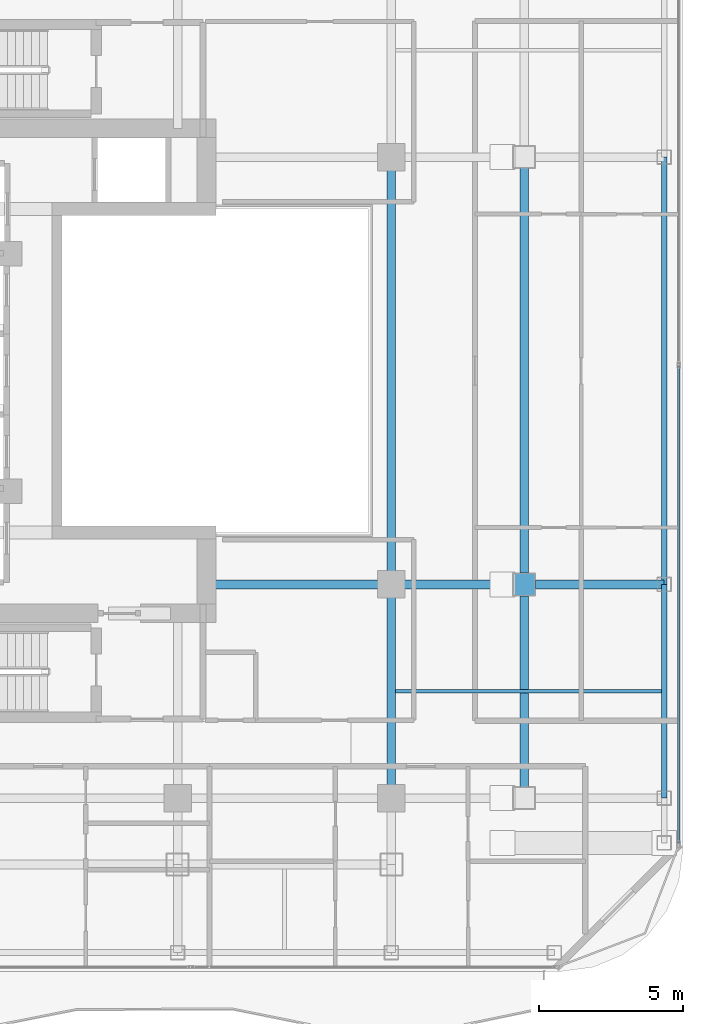
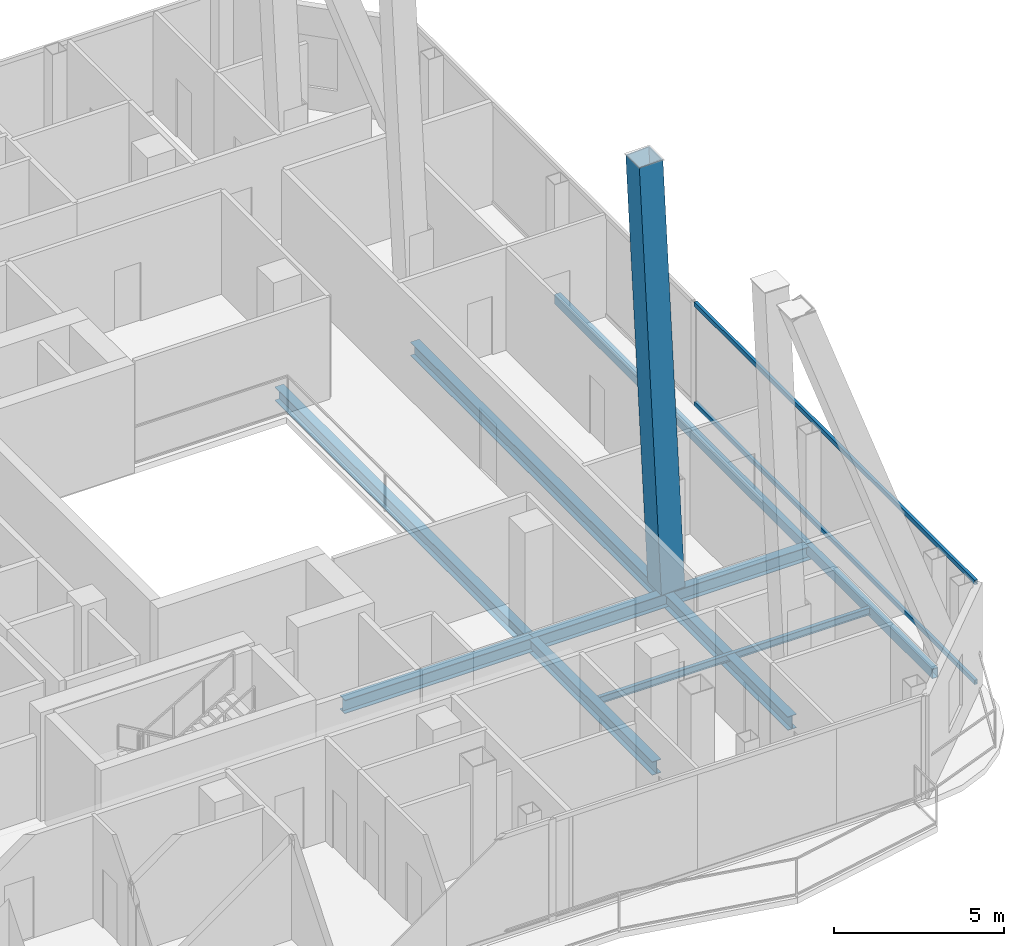
# One storey, part 8 of 27: 10 beams, 3 members, 1 element without a shape of its own.
"""IFC4 building model written with IfcOpenShell, lengths in metres."""

import ifcopenshell
import ifcopenshell.guid

model = None  # the IFC model being written
_history = None  # IfcOwnerHistory: only IFC2X3 demands one
_inside = {}  # id of a spatial element -> (the spatial element, [elements in it])
_under = {}  # id of a project, library or spatial element -> (it, [spatial elements below it])
_declared = {}  # id of a project -> (the project, [libraries it declares])
_typed = {}  # id of a type object -> (the type object, [elements of that type])
_made_of = {}  # id of a material, layer set ... -> (it, [elements and type objects made of it])


def new_model(schema):
    """Start an empty IFC model of exactly this schema.

    Asked for "IFC4X3", IfcOpenShell would pick the latest addendum, in which some entities
    have other attributes; the version numbers below select the first issue.
    IFC2X3 requires an IfcOwnerHistory on every rooted entity: one is made here for all.
    """
    global model, _history
    if schema == "IFC4X3":
        model = ifcopenshell.file(schema_version=(4, 3, 0, 0))
    else:
        model = ifcopenshell.file(schema=schema)
    _inside.clear()
    _under.clear()
    _declared.clear()
    _typed.clear()
    _made_of.clear()
    _history = None
    if model.schema == "IFC2X3":
        org = make("IfcOrganization", Name="unknown")
        user = make(
            "IfcPersonAndOrganization",
            ThePerson=make("IfcPerson", FamilyName="unknown"),
            TheOrganization=org,
        )
        app = make(
            "IfcApplication",
            ApplicationDeveloper=org,
            Version="unknown",
            ApplicationFullName="unknown",
            ApplicationIdentifier="unknown",
        )
        _history = make(
            "IfcOwnerHistory",
            OwningUser=user,
            OwningApplication=app,
            ChangeAction="ADDED",
            CreationDate=0,
        )
    return model


def make(cls, **values):
    """One entity of the class cls with the attributes given. An attribute that is None is left unset."""
    return model.create_entity(
        cls, **{name: value for name, value in values.items() if value is not None}
    )


def rooted(cls, **values):
    """An entity with a GlobalId (a new one), such as an element, a storey or a relation."""
    return make(cls, GlobalId=ifcopenshell.guid.new(), OwnerHistory=_history, **values)


def si_unit(unit_type, name, prefix=None):
    """IfcSIUnit, for example si_unit("LENGTHUNIT", "METRE", prefix="MILLI")."""
    return make("IfcSIUnit", UnitType=unit_type, Prefix=prefix, Name=name)


def assignment(units):
    """IfcUnitAssignment: the units of a project."""
    return None if units is None else make("IfcUnitAssignment", Units=units)


def point(xyz):
    """IfcCartesianPoint."""
    return None if xyz is None else make("IfcCartesianPoint", Coordinates=xyz)


def direction(xyz):
    """IfcDirection."""
    return None if xyz is None else make("IfcDirection", DirectionRatios=xyz)


def frame(location, z_axis=None, x_axis=None):
    """IfcAxis2Placement3D, a coordinate frame: its origin and axes. An axis left out is left unset."""
    return make(
        "IfcAxis2Placement3D",
        Location=point(location),
        Axis=direction(z_axis),
        RefDirection=direction(x_axis),
    )


def frame_2d(location, x_axis=None):
    """IfcAxis2Placement2D, a coordinate frame in the plane: its origin and x axis."""
    return make(
        "IfcAxis2Placement2D", Location=point(location), RefDirection=direction(x_axis)
    )


def origin():
    """The frame at (0, 0, 0) with its axes left unset."""
    return frame((0.0, 0.0, 0.0))


def origin_2d():
    """The frame at (0, 0) in the plane with its x axis left unset."""
    return frame_2d((0.0, 0.0))


def place(relative_to, where):
    """IfcLocalPlacement: puts the frame where relative to a parent placement (None: the world)."""
    return make(
        "IfcLocalPlacement", PlacementRelTo=relative_to, RelativePlacement=where
    )


def context(
    kind, dimensions, precision=None, world=None, true_north=None, identifier=None
):
    """IfcGeometricRepresentationContext, for example the 3D "Model" context."""
    return make(
        "IfcGeometricRepresentationContext",
        ContextIdentifier=identifier,
        ContextType=kind,
        CoordinateSpaceDimension=dimensions,
        Precision=precision,
        WorldCoordinateSystem=world,
        TrueNorth=true_north,
    )


def subcontext(parent, identifier, kind, view, scale=None):
    """IfcGeometricRepresentationSubContext, for example "Body" below "Model"."""
    return make(
        "IfcGeometricRepresentationSubContext",
        ContextIdentifier=identifier,
        ContextType=kind,
        ParentContext=parent,
        TargetScale=scale,
        TargetView=view,
    )


def project(units=None, contexts=None):
    """IfcProject with its units and contexts."""
    return rooted(
        "IfcProject",
        Name="project",
        RepresentationContexts=contexts,
        UnitsInContext=assignment(units),
    )


def spatial(cls, under=None, at=None, **own):
    """A site, building, storey or space (cls), placed at a placement, below another one or the project."""
    s = rooted(cls, ObjectPlacement=at, **own)
    if under is not None:
        _under.setdefault(under.id(), (under, []))[1].append(s)
    return s


def profile(cls, at=None, kind="AREA", **sizes):
    """A parametric profile (cls). Its sizes go by their IFC names, for example OverallWidth=200.0."""
    return make(cls, ProfileType=kind, Position=at, **sizes)


def hollow_rectangle(**sizes):
    """IfcRectangleHollowProfileDef."""
    return profile("IfcRectangleHollowProfileDef", **sizes)


def i_section(**sizes):
    """IfcIShapeProfileDef."""
    return profile("IfcIShapeProfileDef", **sizes)


def extrude(swept, where, along, depth):
    """IfcExtrudedAreaSolid: the profile swept, set in the frame where, extruded along a direction by depth."""
    return make(
        "IfcExtrudedAreaSolid",
        SweptArea=swept,
        Position=where,
        ExtrudedDirection=direction(along),
        Depth=depth,
    )


def shape(context_of_items, identifier, shape_type, items):
    """IfcShapeRepresentation: the items that make up one representation, for example the "Body"."""
    return make(
        "IfcShapeRepresentation",
        ContextOfItems=context_of_items,
        RepresentationIdentifier=identifier,
        RepresentationType=shape_type,
        Items=items,
    )


def material(Name=None, Category=None):
    """IfcMaterial."""
    return make("IfcMaterial", Name=Name, Category=Category)


def layer(
    of_material, thickness, ventilated=None, Name=None, Category=None, Priority=None
):
    """IfcMaterialLayer: one layer of a wall or slab, of a material (None: an air gap)."""
    return make(
        "IfcMaterialLayer",
        Material=of_material,
        LayerThickness=thickness,
        IsVentilated=ventilated,
        Name=Name,
        Category=Category,
        Priority=Priority,
    )


def layer_set(layers, Name=None):
    """IfcMaterialLayerSet."""
    return make("IfcMaterialLayerSet", MaterialLayers=layers, LayerSetName=Name)


def material_profile(
    of_material, cross_section, Name=None, Category=None, Priority=None
):
    """IfcMaterialProfile: a cross section and its material."""
    return make(
        "IfcMaterialProfile",
        Name=Name,
        Material=of_material,
        Profile=cross_section,
        Priority=Priority,
        Category=Category,
    )


def profile_set(profiles, Name=None, composite=None):
    """IfcMaterialProfileSet."""
    return make(
        "IfcMaterialProfileSet",
        Name=Name,
        MaterialProfiles=profiles,
        CompositeProfile=composite,
    )


def made_of(thing, what):
    """Note that an element or type object is made of a material, layer set ...; save() writes the relation."""
    if what is not None:
        _made_of.setdefault(what.id(), (what, []))[1].append(thing)
    return thing


def type_object(cls, material=None, **own):
    """A type object (cls), such as IfcWallType, which elements share."""
    return made_of(rooted(cls, **own), material)


def element(
    cls,
    number,
    at=None,
    inside=None,
    cuts=None,
    type_object=None,
    material=None,
    context=None,
    identifier="Body",
    shape_type=None,
    held_by="IfcProductDefinitionShape",
    body=None,
    shapes=None,
    **own,
):
    """One element of the class cls, such as IfcWall. Its Tag is "e" and its number.

    at: its placement. inside: the storey or other place that contains it. cuts: it is an
    opening in that element (IfcRelVoidsElement). A single representation is given by context,
    identifier, shape_type and body (its items); several are given by shapes. held_by: the class
    of the entity that holds the representations. save() writes the other relations.
    """
    e = rooted(cls, Tag="e%d" % number, ObjectPlacement=at, **own)
    if body is not None:
        shapes = [shape(context, identifier, shape_type, body)]
    if shapes is not None:
        e.Representation = make(held_by, Representations=shapes)
    if inside is not None:
        _inside.setdefault(inside.id(), (inside, []))[1].append(e)
    if cuts is not None:
        rooted(
            "IfcRelVoidsElement", RelatingBuildingElement=cuts, RelatedOpeningElement=e
        )
    if type_object is not None:
        _typed.setdefault(type_object.id(), (type_object, []))[1].append(e)
    return made_of(e, material)


def aggregate(whole, parts):
    """IfcRelAggregates: a whole, such as a stair, and the parts it consists of."""
    return rooted("IfcRelAggregates", RelatingObject=whole, RelatedObjects=parts)


def save(model, path):
    """Write the relations noted so far, then the file.

    IfcRelAggregates (storeys below a building ...), IfcRelContainedInSpatialStructure (elements
    in a storey), IfcRelDefinesByType, IfcRelAssociatesMaterial and IfcRelDeclares: one each for
    every whole, place, type object, material and project.
    """
    for whole, parts in _under.values():
        aggregate(whole, parts)
    for where, things in _inside.values():
        rooted(
            "IfcRelContainedInSpatialStructure",
            RelatedElements=things,
            RelatingStructure=where,
        )
    for kind, things in _typed.values():
        rooted("IfcRelDefinesByType", RelatedObjects=things, RelatingType=kind)
    for what, things in _made_of.values():
        rooted("IfcRelAssociatesMaterial", RelatedObjects=things, RelatingMaterial=what)
    for by, libraries in _declared.values():
        rooted("IfcRelDeclares", RelatingContext=by, RelatedDefinitions=libraries)
    model.write(path)


model = new_model("IFC4")

# Units and contexts
model_context = context("Model", 3, precision=1e-05, world=origin(), true_north=direction((0.0, 1.0)))
body_context = subcontext(model_context, "Body", "Model", "MODEL_VIEW")
ifc_project = project(units=[si_unit("LENGTHUNIT", "METRE"), si_unit("AREAUNIT", "SQUARE_METRE"), si_unit("VOLUMEUNIT", "CUBIC_METRE"), si_unit("PLANEANGLEUNIT", "RADIAN"), si_unit("MASSUNIT", "GRAM", prefix="KILO")], contexts=[model_context])

# Site, building, storey
site_placement = place(None, origin())
site = spatial("IfcSite", under=ifc_project, at=site_placement, CompositionType="ELEMENT")
building_placement = place(site_placement, origin())
building = spatial("IfcBuilding", under=site, at=building_placement, Name="Khorvyn Point Tower", CompositionType="ELEMENT")
storey_placement = place(building_placement, frame((0.0, 0.0, 270.300048828125)))
storey = spatial("IfcBuildingStorey", under=building, at=storey_placement, Name="L66", CompositionType="ELEMENT", Elevation=270.300048828125)

# Curtain wall, members
ifc_material_1 = material(Name="Anodised aluminium 6063-T6 and laminated Low-E glass", Category="aluminium")
ifc_layer = layer(ifc_material_1, 0.18994140625)
ifc_layer_set = layer_set([ifc_layer], Name="Stick-Built High-Wind Curtain Wall CW-SYS-04")
curtain_wall_type = type_object("IfcCurtainWallType", Name="Stick-Built High-Wind Curtain Wall CW-SYS-04", PredefinedType="NOTDEFINED", material=ifc_layer_set)
curtain_wall_placement = place(storey_placement, origin())
curtain_wall = element("IfcCurtainWall", 1, at=curtain_wall_placement, inside=storey, type_object=curtain_wall_type, Name="Curtain Wall", PredefinedType="NOTDEFINED")
ifc_material_2 = material(Name="Anodised aluminium 6063-T6", Category="aluminium")
ifc_material_profile_1 = material_profile(ifc_material_2, hollow_rectangle(XDim=0.10009765625, YDim=0.159912109375, WallThickness=0.00439453125, at=origin_2d()))
ifc_profile_set_1 = profile_set([ifc_material_profile_1], Name="Anodised aluminium 6063-T6 ALU-TRN-100x160")
member_type_1 = type_object("IfcMemberType", Name="Anodised Aluminium 6063-T6 Transom ALU-TRN-100x160", PredefinedType="USERDEFINED", material=ifc_profile_set_1)
member_1_placement = place(storey_placement, frame((24.75, 0.14990234375, 0.050048828125), z_axis=(0.0, -1.0, 0.0), x_axis=(1.0, 0.0, 0.0)))
member_1 = element("IfcMember", 2, at=member_1_placement, type_object=member_type_1, Name="Transom", ObjectType="TRANSOM", PredefinedType="USERDEFINED", context=body_context, shape_type="SweptSolid", body=[
    extrude(hollow_rectangle(XDim=0.10009765625, YDim=0.159912109375, WallThickness=0.00439453125, at=origin_2d()), origin(), (0.0, 0.0, 1.0), 16.5),
])
member_2_placement = place(storey_placement, frame((24.75, 0.14990234375, 3.6298828125), z_axis=(0.0, -1.0, 0.0), x_axis=(1.0, 0.0, 0.0)))
member_2 = element("IfcMember", 3, at=member_2_placement, type_object=member_type_1, Name="Transom", ObjectType="TRANSOM", PredefinedType="USERDEFINED", context=body_context, shape_type="SweptSolid", body=[
    extrude(hollow_rectangle(XDim=0.10009765625, YDim=0.159912109375, WallThickness=0.00439453125, at=origin_2d()), origin(), (0.0, 0.0, 1.0), 16.5),
])
aggregate(curtain_wall, [member_1, member_2])

# Beams
ifc_material_3 = material(Name="Steel S355", Category="steel")
ifc_material_profile_2 = material_profile(ifc_material_3, i_section(OverallWidth=0.125, OverallDepth=0.25, WebThickness=0.006103515625, FlangeThickness=0.009033203125, at=origin_2d()))
ifc_profile_set_2 = profile_set([ifc_material_profile_2], Name="Steel S355 H250x125x6x9")
beam_type_1 = type_object("IfcBeamType", Name="Steel S355 Joist H250x125x6x9", PredefinedType="JOIST", material=ifc_profile_set_2)
beam_1_placement = place(storey_placement, frame((14.949951171875, -11.10009765625, -0.344970703125), z_axis=(1.0, 0.0, 0.0), x_axis=(0.0, 1.0, 0.0)))
element("IfcBeam", 4, at=beam_1_placement, inside=storey, type_object=beam_type_1, Name="Beam", PredefinedType="JOIST", context=body_context, shape_type="SweptSolid", body=[
    extrude(i_section(OverallWidth=0.125, OverallDepth=0.25, WebThickness=0.006103515625, FlangeThickness=0.009033203125, at=origin_2d()), origin(), (0.0, 0.0, 1.0), 9.199951171875),
])
ifc_material_profile_3 = material_profile(ifc_material_3, i_section(OverallWidth=0.300048828125, OverallDepth=0.488037109375, WebThickness=0.010986328125, FlangeThickness=0.01806640625, at=origin_2d()))
ifc_profile_set_3 = profile_set([ifc_material_profile_3], Name="Steel S355 H488x300x11x18")
beam_type_2 = type_object("IfcBeamType", Name="Steel S355 Spandrel H488x300x11x18", PredefinedType="SPANDREL", material=ifc_profile_set_3)
beam_2_placement = place(storey_placement, frame((8.39990234375, -7.39990234375, -0.464111328125), z_axis=(1.0, 0.0, 0.0), x_axis=(0.0, 1.0, 0.0)))
element("IfcBeam", 5, at=beam_2_placement, inside=storey, type_object=beam_type_2, Name="Beam", PredefinedType="SPANDREL", context=body_context, shape_type="SweptSolid", body=[
    extrude(i_section(OverallWidth=0.300048828125, OverallDepth=0.488037109375, WebThickness=0.010986328125, FlangeThickness=0.01806640625, at=origin_2d()), origin(), (0.0, 0.0, 1.0), 6.400146484375),
])
beam_3_placement = place(storey_placement, frame((14.800048828125, -7.39990234375, -0.464111328125), z_axis=(1.0, 0.0, 0.0), x_axis=(0.0, 1.0, 0.0)))
element("IfcBeam", 6, at=beam_3_placement, inside=storey, type_object=beam_type_2, Name="Beam", PredefinedType="SPANDREL", context=body_context, shape_type="SweptSolid", body=[
    extrude(i_section(OverallWidth=0.300048828125, OverallDepth=0.488037109375, WebThickness=0.010986328125, FlangeThickness=0.01806640625, at=origin_2d()), origin(), (0.0, 0.0, 1.0), 4.599853515625),
])
beam_4_placement = place(storey_placement, frame((19.39990234375, -7.39990234375, -0.464111328125), z_axis=(1.0, 0.0, 0.0), x_axis=(0.0, 1.0, 0.0)))
element("IfcBeam", 7, at=beam_4_placement, inside=storey, type_object=beam_type_2, Name="Beam", PredefinedType="SPANDREL", context=body_context, shape_type="SweptSolid", body=[
    extrude(i_section(OverallWidth=0.300048828125, OverallDepth=0.488037109375, WebThickness=0.010986328125, FlangeThickness=0.01806640625, at=origin_2d()), origin(), (0.0, 0.0, 1.0), 4.85009765625),
])
beam_5_placement = place(storey_placement, frame((14.800048828125, -14.800048828125, -0.464111328125), z_axis=(0.0, 1.0, 0.0), x_axis=(-1.0, 0.0, 0.0)))
element("IfcBeam", 8, at=beam_5_placement, inside=storey, type_object=beam_type_2, Name="Beam", PredefinedType="SPANDREL", context=body_context, shape_type="SweptSolid", body=[
    extrude(i_section(OverallWidth=0.300048828125, OverallDepth=0.488037109375, WebThickness=0.010986328125, FlangeThickness=0.01806640625, at=origin_2d()), origin(), (0.0, 0.0, 1.0), 7.400146484375),
])
beam_6_placement = place(storey_placement, frame((14.800048828125, -7.39990234375, -0.464111328125), z_axis=(0.0, 1.0, 0.0), x_axis=(-1.0, 0.0, 0.0)))
element("IfcBeam", 9, at=beam_6_placement, inside=storey, type_object=beam_type_2, Name="Beam", PredefinedType="SPANDREL", context=body_context, shape_type="SweptSolid", body=[
    extrude(i_section(OverallWidth=0.300048828125, OverallDepth=0.488037109375, WebThickness=0.010986328125, FlangeThickness=0.01806640625, at=origin_2d()), origin(), (0.0, 0.0, 1.0), 14.7998046875),
])
beam_7_placement = place(storey_placement, frame((19.39990234375, -14.800048828125, -0.464111328125), z_axis=(0.0, 1.0, 0.0), x_axis=(-1.0, 0.0, 0.0)))
element("IfcBeam", 10, at=beam_7_placement, inside=storey, type_object=beam_type_2, Name="Beam", PredefinedType="SPANDREL", context=body_context, shape_type="SweptSolid", body=[
    extrude(i_section(OverallWidth=0.300048828125, OverallDepth=0.488037109375, WebThickness=0.010986328125, FlangeThickness=0.01806640625, at=origin_2d()), origin(), (0.0, 0.0, 1.0), 7.400146484375),
])
beam_8_placement = place(storey_placement, frame((19.39990234375, -7.39990234375, -0.464111328125), z_axis=(0.0, 1.0, 0.0), x_axis=(-1.0, 0.0, 0.0)))
element("IfcBeam", 11, at=beam_8_placement, inside=storey, type_object=beam_type_2, Name="Beam", PredefinedType="SPANDREL", context=body_context, shape_type="SweptSolid", body=[
    extrude(i_section(OverallWidth=0.300048828125, OverallDepth=0.488037109375, WebThickness=0.010986328125, FlangeThickness=0.01806640625, at=origin_2d()), origin(), (0.0, 0.0, 1.0), 14.7998046875),
])
ifc_material_profile_4 = material_profile(ifc_material_3, hollow_rectangle(XDim=0.199951171875, YDim=0.35009765625, WallThickness=0.013916015625, at=origin_2d()))
ifc_profile_set_4 = profile_set([ifc_material_profile_4], Name="Steel S355 RHS350x200x14")
beam_type_3 = type_object("IfcBeamType", Name="Steel S355 Spandrel RHS350x200x14", PredefinedType="SPANDREL", material=ifc_profile_set_4)
beam_9_placement = place(storey_placement, frame((24.25, -14.800048828125, -0.39501953125), z_axis=(0.0, 1.0, 0.0), x_axis=(-1.0, 0.0, 0.0)))
element("IfcBeam", 12, at=beam_9_placement, inside=storey, type_object=beam_type_3, Name="Beam", PredefinedType="SPANDREL", context=body_context, shape_type="SweptSolid", body=[
    extrude(hollow_rectangle(XDim=0.199951171875, YDim=0.35009765625, WallThickness=0.013916015625, at=origin_2d()), origin(), (0.0, 0.0, 1.0), 7.400146484375),
])
beam_10_placement = place(storey_placement, frame((24.25, -7.39990234375, -0.39501953125), z_axis=(0.0, 1.0, 0.0), x_axis=(-1.0, 0.0, 0.0)))
element("IfcBeam", 13, at=beam_10_placement, inside=storey, type_object=beam_type_3, Name="Beam", PredefinedType="SPANDREL", context=body_context, shape_type="SweptSolid", body=[
    extrude(hollow_rectangle(XDim=0.199951171875, YDim=0.35009765625, WallThickness=0.013916015625, at=origin_2d()), origin(), (0.0, 0.0, 1.0), 14.7998046875),
])

# Member
ifc_material_4 = material(Name="Steel S450", Category="steel")
ifc_material_profile_5 = material_profile(ifc_material_4, hollow_rectangle(XDim=0.800048828125, YDim=0.800048828125, WallThickness=0.035888671875, at=origin_2d()))
ifc_profile_set_5 = profile_set([ifc_material_profile_5], Name="Steel S450 BOX800x800x36")
member_type_2 = type_object("IfcMemberType", Name="Steel S450 Exoskeleton Structural Post BOX800x800x36", PredefinedType="POST", material=ifc_profile_set_5)
member_3_placement = place(storey_placement, frame((19.39990234375, -7.39990234375, 0.0), z_axis=(-0.048021906826, 0.0, 0.998846282701), x_axis=(0.0, -1.0, 0.0)))
element("IfcMember", 14, at=member_3_placement, inside=storey, type_object=member_type_2, Name="L66 to L70 Exoskeleton Transfer Post 12", PredefinedType="POST", context=body_context, shape_type="SweptSolid", body=[
    extrude(hollow_rectangle(XDim=0.800048828125, YDim=0.800048828125, WallThickness=0.035888671875, at=origin_2d()), origin(), (0.0, 0.0, 1.0), 15.617919921875),
])

save(model, "model.ifc")
